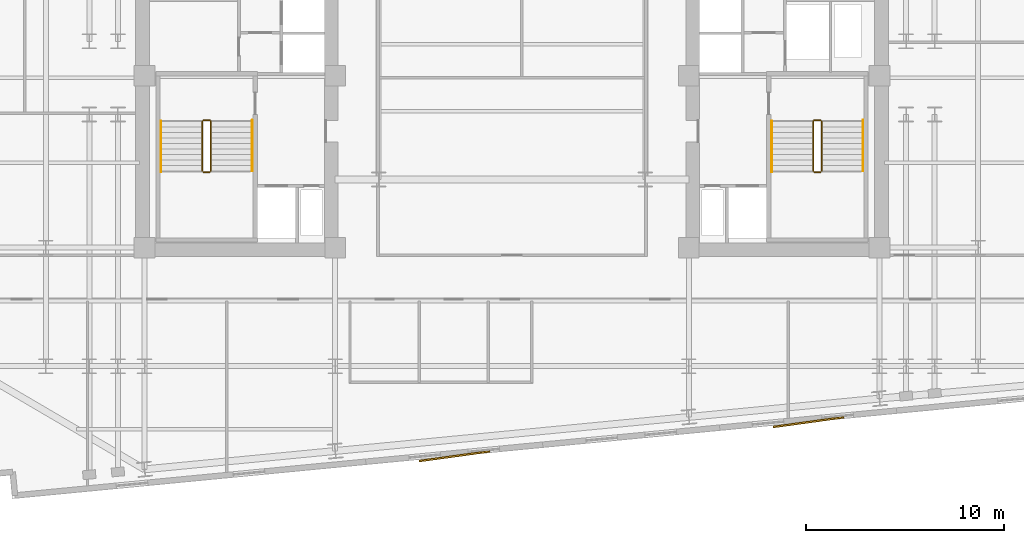
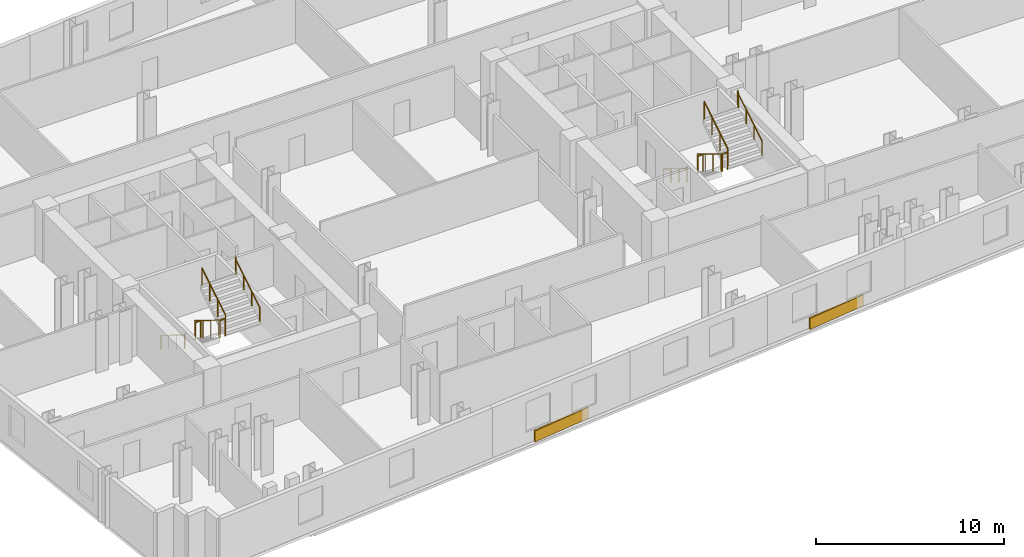
# One storey, part 9 of 10: 12 railings, 2 coverings.
"""IFC4 building model written with IfcOpenShell, lengths in metres."""

from ifc_helpers import new_model, si_unit, direction, frame, origin, origin_2d, place, context, subcontext, project, spatial, rectangle, circle, extrude, material, layer, layer_set, type_object, element, save


model = new_model("IFC4")

# Units and contexts
model_context = context("Model", 3, precision=1e-05, world=origin(), true_north=direction((0.0, 1.0)))
body_context = subcontext(model_context, "Body", "Model", "MODEL_VIEW")
ifc_project = project(units=[si_unit("LENGTHUNIT", "METRE"), si_unit("AREAUNIT", "SQUARE_METRE"), si_unit("VOLUMEUNIT", "CUBIC_METRE"), si_unit("PLANEANGLEUNIT", "RADIAN"), si_unit("MASSUNIT", "GRAM", prefix="KILO")], contexts=[model_context])

# Site, building, storey
site_placement = place(None, origin())
site = spatial("IfcSite", under=ifc_project, at=site_placement, CompositionType="ELEMENT")
building_placement = place(site_placement, origin())
building = spatial("IfcBuilding", under=site, at=building_placement, Name="Velakula Bourse", CompositionType="ELEMENT")
storey_placement = place(building_placement, frame((0.0, 0.0, 98.35009765625)))
storey = spatial("IfcBuildingStorey", under=building, at=storey_placement, Name="L26", CompositionType="ELEMENT", Elevation=98.35009765625)

# Coverings
ifc_material_1 = material(Name="Buff kilned clay facing brick masonry", Category="masonry")
ifc_layer = layer(ifc_material_1, 0.074951171875, Name="Buff kilned clay facing brick masonry", Category="masonry")
ifc_layer_set = layer_set([ifc_layer], Name="Buff kilned clay facing brick masonry")
covering_type = type_object("IfcCoveringType", Name="COV-BRK-SPN-75", PredefinedType="CLADDING", material=ifc_layer_set)
for number, where, z_axis, x_axis, name in (
    (1, (-2.908447265625, -19.154052734375, 0.0), (0.0, 0.0, 1.0), (0.990629029058, 0.136580111242, 0.0), "L26 Folded Brick Facade Cladding Panel S-B2"),
    (2, (15.0087890625, -17.428955078125, 0.0), (0.0, 0.0, 1.0), (0.990629029058, 0.136580111242, 0.0), "L26 Folded Brick Facade Cladding Panel S-B4"),
):
    element("IfcCovering", number, at=place(storey_placement, frame(where, z_axis=z_axis, x_axis=x_axis)), inside=storey, type_object=covering_type, Name=name, PredefinedType="CLADDING", context=body_context, shape_type="SweptSolid", body=[
        extrude(rectangle(XDim=3.60009765625, YDim=0.090087890625, at=origin_2d()), origin(), (0.0, 0.0, 1.0), 0.719970703125),
    ])

# Railings
ifc_material_2 = material(Name="Brushed grade 316 stainless steel", Category="steel")
railing_type_1 = type_object("IfcRailingType", Name="RLG-STAIR-GUARD-1150", PredefinedType="BALUSTRADE", material=ifc_material_2)
railing_1_placement = place(storey_placement, frame((-15.672119140625, -2.199951171875, 0.17236328125)))
element("IfcRailing", 3, at=railing_1_placement, inside=storey, type_object=railing_type_1, Name="L26 ST-W1 stair guard 1", PredefinedType="BALUSTRADE", context=body_context, shape_type="SweptSolid", body=[
    extrude(circle(Radius=0.02490234375, at=origin_2d()), frame((0.0, 0.0, 1.125), z_axis=(0.0, -0.851400495292, 0.524516154772), x_axis=(1.0, 0.0, 0.0)), (0.0, 0.0, 1.0), 2.9599609375),
    extrude(circle(Radius=0.02099609375, at=origin_2d()), origin(), (0.0, 0.0, 1.0), 1.099853515625),
    extrude(circle(Radius=0.02099609375, at=origin_2d()), frame((0.0, -0.840087890625, 0.517578125)), (0.0, 0.0, 1.0), 1.099853515625),
    extrude(circle(Radius=0.02099609375, at=origin_2d()), frame((0.0, -1.679931640625, 1.034912109375)), (0.0, 0.0, 1.0), 1.099853515625),
    extrude(circle(Radius=0.02099609375, at=origin_2d()), frame((0.0, -2.52001953125, 1.552490234375)), (0.0, 0.0, 1.0), 1.099853515625),
])
railing_2_placement = place(storey_placement, frame((-15.6220703125, -4.77001953125, 1.724853515625)))
element("IfcRailing", 4, at=railing_2_placement, inside=storey, type_object=railing_type_1, Name="L26 ST-W1 stair guard 2", PredefinedType="BALUSTRADE", context=body_context, shape_type="SweptSolid", body=[
    extrude(circle(Radius=0.02490234375, at=origin_2d()), frame((0.0, 0.0, 1.125), z_axis=(1.0, 0.0, 0.0), x_axis=(0.0, 1.0, 0.0)), (0.0, 0.0, 1.0), 0.323974609375),
    extrude(circle(Radius=0.02099609375, at=origin_2d()), origin(), (0.0, 0.0, 1.0), 1.099853515625),
    extrude(circle(Radius=0.02099609375, at=origin_2d()), frame((0.323974609375, 0.0, 0.0)), (0.0, 0.0, 1.0), 1.099853515625),
])
railing_3_placement = place(storey_placement, frame((-15.248046875, -4.719970703125, 1.8974609375)))
element("IfcRailing", 5, at=railing_3_placement, inside=storey, type_object=railing_type_1, Name="L26 ST-W1 stair guard 3", PredefinedType="BALUSTRADE", context=body_context, shape_type="SweptSolid", body=[
    extrude(circle(Radius=0.02490234375, at=origin_2d()), frame((0.0, 0.0, 1.125), z_axis=(0.0, 0.851400495292, 0.524516154772), x_axis=(-1.0, 0.0, 0.0)), (0.0, 0.0, 1.0), 2.9599609375),
    extrude(circle(Radius=0.02099609375, at=origin_2d()), origin(), (0.0, 0.0, 1.0), 1.099853515625),
    extrude(circle(Radius=0.02099609375, at=origin_2d()), frame((0.0, 0.840087890625, 0.517578125)), (0.0, 0.0, 1.0), 1.099853515625),
    extrude(circle(Radius=0.02099609375, at=origin_2d()), frame((0.0, 1.679931640625, 1.034912109375)), (0.0, 0.0, 1.0), 1.099853515625),
    extrude(circle(Radius=0.02099609375, at=origin_2d()), frame((0.0, 2.52001953125, 1.552490234375)), (0.0, 0.0, 1.0), 1.099853515625),
])
railing_4_placement = place(storey_placement, frame((-15.6220703125, -2.14990234375, 0.0)))
element("IfcRailing", 6, at=railing_4_placement, inside=storey, type_object=railing_type_1, Name="L26 ST-W1 stair guard 4", PredefinedType="BALUSTRADE", context=body_context, shape_type="SweptSolid", body=[
    extrude(circle(Radius=0.02490234375, at=origin_2d()), frame((0.0, 0.0, 1.125), z_axis=(1.0, 0.0, 0.0), x_axis=(0.0, 1.0, 0.0)), (0.0, 0.0, 1.0), 0.323974609375),
    extrude(circle(Radius=0.02099609375, at=origin_2d()), origin(), (0.0, 0.0, 1.0), 1.099853515625),
    extrude(circle(Radius=0.02099609375, at=origin_2d()), frame((0.323974609375, 0.0, 0.0)), (0.0, 0.0, 1.0), 1.099853515625),
])
railing_5_placement = place(storey_placement, frame((15.248046875, -2.199951171875, 0.17236328125)))
element("IfcRailing", 7, at=railing_5_placement, inside=storey, type_object=railing_type_1, Name="L26 ST-E1 stair guard 1", PredefinedType="BALUSTRADE", context=body_context, shape_type="SweptSolid", body=[
    extrude(circle(Radius=0.02490234375, at=origin_2d()), frame((0.0, 0.0, 1.125), z_axis=(0.0, -0.851400495292, 0.524516154772), x_axis=(1.0, 0.0, 0.0)), (0.0, 0.0, 1.0), 2.9599609375),
    extrude(circle(Radius=0.02099609375, at=origin_2d()), origin(), (0.0, 0.0, 1.0), 1.099853515625),
    extrude(circle(Radius=0.02099609375, at=origin_2d()), frame((0.0, -0.840087890625, 0.517578125)), (0.0, 0.0, 1.0), 1.099853515625),
    extrude(circle(Radius=0.02099609375, at=origin_2d()), frame((0.0, -1.679931640625, 1.034912109375)), (0.0, 0.0, 1.0), 1.099853515625),
    extrude(circle(Radius=0.02099609375, at=origin_2d()), frame((0.0, -2.52001953125, 1.552490234375)), (0.0, 0.0, 1.0), 1.099853515625),
])
railing_6_placement = place(storey_placement, frame((15.298095703125, -4.77001953125, 1.724853515625)))
element("IfcRailing", 8, at=railing_6_placement, inside=storey, type_object=railing_type_1, Name="L26 ST-E1 stair guard 2", PredefinedType="BALUSTRADE", context=body_context, shape_type="SweptSolid", body=[
    extrude(circle(Radius=0.02490234375, at=origin_2d()), frame((0.0, 0.0, 1.125), z_axis=(1.0, 0.0, 0.0), x_axis=(0.0, 1.0, 0.0)), (0.0, 0.0, 1.0), 0.323974609375),
    extrude(circle(Radius=0.02099609375, at=origin_2d()), origin(), (0.0, 0.0, 1.0), 1.099853515625),
    extrude(circle(Radius=0.02099609375, at=origin_2d()), frame((0.323974609375, 0.0, 0.0)), (0.0, 0.0, 1.0), 1.099853515625),
])
railing_7_placement = place(storey_placement, frame((15.672119140625, -4.719970703125, 1.8974609375)))
element("IfcRailing", 9, at=railing_7_placement, inside=storey, type_object=railing_type_1, Name="L26 ST-E1 stair guard 3", PredefinedType="BALUSTRADE", context=body_context, shape_type="SweptSolid", body=[
    extrude(circle(Radius=0.02490234375, at=origin_2d()), frame((0.0, 0.0, 1.125), z_axis=(0.0, 0.851400495292, 0.524516154772), x_axis=(-1.0, 0.0, 0.0)), (0.0, 0.0, 1.0), 2.9599609375),
    extrude(circle(Radius=0.02099609375, at=origin_2d()), origin(), (0.0, 0.0, 1.0), 1.099853515625),
    extrude(circle(Radius=0.02099609375, at=origin_2d()), frame((0.0, 0.840087890625, 0.517578125)), (0.0, 0.0, 1.0), 1.099853515625),
    extrude(circle(Radius=0.02099609375, at=origin_2d()), frame((0.0, 1.679931640625, 1.034912109375)), (0.0, 0.0, 1.0), 1.099853515625),
    extrude(circle(Radius=0.02099609375, at=origin_2d()), frame((0.0, 2.52001953125, 1.552490234375)), (0.0, 0.0, 1.0), 1.099853515625),
])
railing_8_placement = place(storey_placement, frame((15.298095703125, -2.14990234375, 0.0)))
element("IfcRailing", 10, at=railing_8_placement, inside=storey, type_object=railing_type_1, Name="L26 ST-E1 stair guard 4", PredefinedType="BALUSTRADE", context=body_context, shape_type="SweptSolid", body=[
    extrude(circle(Radius=0.02490234375, at=origin_2d()), frame((0.0, 0.0, 1.125), z_axis=(1.0, 0.0, 0.0), x_axis=(0.0, 1.0, 0.0)), (0.0, 0.0, 1.0), 0.323974609375),
    extrude(circle(Radius=0.02099609375, at=origin_2d()), origin(), (0.0, 0.0, 1.0), 1.099853515625),
    extrude(circle(Radius=0.02099609375, at=origin_2d()), frame((0.323974609375, 0.0, 0.0)), (0.0, 0.0, 1.0), 1.099853515625),
])
railing_type_2 = type_object("IfcRailingType", Name="RLG-STAIR-HAND-920", PredefinedType="HANDRAIL", material=ifc_material_2)
railing_9_placement = place(storey_placement, frame((-17.77001953125, -2.199951171875, 0.17236328125)))
element("IfcRailing", 11, at=railing_9_placement, inside=storey, type_object=railing_type_2, Name="L26 ST-W1 stair handrail 1", PredefinedType="HANDRAIL", context=body_context, shape_type="SweptSolid", body=[
    extrude(circle(Radius=0.02099609375, at=origin_2d()), frame((0.0, 0.0, 0.89892578125), z_axis=(0.0, -0.851400495292, 0.524516154772), x_axis=(1.0, 0.0, 0.0)), (0.0, 0.0, 1.0), 2.9599609375),
    extrude(circle(Radius=0.02099609375, at=origin_2d()), frame((0.0, -2.52001953125, 2.451416015625), z_axis=(0.0, -0.22596628056, 0.974135124123), x_axis=(1.0, 0.0, 0.0)), (0.0, 0.0, 1.0), 0.17724609375),
    extrude(circle(Radius=0.02099609375, at=origin_2d()), frame((0.0, -2.56005859375, 2.6240234375), z_axis=(0.0, -1.0, 0.0), x_axis=(1.0, 0.0, 0.0)), (0.0, 0.0, 1.0), 0.0048828125),
    extrude(circle(Radius=0.02099609375, at=origin_2d()), origin(), (0.0, 0.0, 1.0), 0.8779296875),
    extrude(circle(Radius=0.02099609375, at=origin_2d()), frame((0.0, -0.840087890625, 0.517578125)), (0.0, 0.0, 1.0), 0.8779296875),
    extrude(circle(Radius=0.02099609375, at=origin_2d()), frame((0.0, -1.679931640625, 1.034912109375)), (0.0, 0.0, 1.0), 0.8779296875),
    extrude(circle(Radius=0.02099609375, at=origin_2d()), frame((0.0, -2.52001953125, 1.552490234375)), (0.0, 0.0, 1.0), 0.8779296875),
    extrude(circle(Radius=0.02099609375, at=origin_2d()), frame((0.0, -2.56005859375, 1.72509765625)), (0.0, 0.0, 1.0), 0.8779296875),
    extrude(circle(Radius=0.02099609375, at=origin_2d()), frame((0.0, -2.56494140625, 1.72509765625)), (0.0, 0.0, 1.0), 0.8779296875),
])
railing_10_placement = place(storey_placement, frame((-13.14990234375, -4.719970703125, 1.8974609375)))
element("IfcRailing", 12, at=railing_10_placement, inside=storey, type_object=railing_type_2, Name="L26 ST-W1 stair handrail 2", PredefinedType="HANDRAIL", context=body_context, shape_type="SweptSolid", body=[
    extrude(circle(Radius=0.02099609375, at=origin_2d()), frame((0.0, 0.0, 0.89892578125), z_axis=(0.0, 0.851400495292, 0.524516154772), x_axis=(-1.0, 0.0, 0.0)), (0.0, 0.0, 1.0), 2.9599609375),
    extrude(circle(Radius=0.02099609375, at=origin_2d()), frame((0.0, 2.52001953125, 2.451416015625), z_axis=(0.0, 0.226269970362, 0.974064628509), x_axis=(-1.0, 0.0, 0.0)), (0.0, 0.0, 1.0), 0.177001953125),
    extrude(circle(Radius=0.02099609375, at=origin_2d()), frame((0.0, 2.56005859375, 2.623779296875), z_axis=(0.0, 1.0, 0.0), x_axis=(-1.0, 0.0, 0.0)), (0.0, 0.0, 1.0), 0.0048828125),
    extrude(circle(Radius=0.02099609375, at=origin_2d()), origin(), (0.0, 0.0, 1.0), 0.8779296875),
    extrude(circle(Radius=0.02099609375, at=origin_2d()), frame((0.0, 0.840087890625, 0.517578125)), (0.0, 0.0, 1.0), 0.8779296875),
    extrude(circle(Radius=0.02099609375, at=origin_2d()), frame((0.0, 1.679931640625, 1.034912109375)), (0.0, 0.0, 1.0), 0.8779296875),
    extrude(circle(Radius=0.02099609375, at=origin_2d()), frame((0.0, 2.52001953125, 1.552490234375)), (0.0, 0.0, 1.0), 0.8779296875),
    extrude(circle(Radius=0.02099609375, at=origin_2d()), frame((0.0, 2.56005859375, 1.724853515625)), (0.0, 0.0, 1.0), 0.8779296875),
    extrude(circle(Radius=0.02099609375, at=origin_2d()), frame((0.0, 2.56494140625, 1.724853515625)), (0.0, 0.0, 1.0), 0.8779296875),
])
railing_11_placement = place(storey_placement, frame((13.14990234375, -2.199951171875, 0.17236328125)))
element("IfcRailing", 13, at=railing_11_placement, inside=storey, type_object=railing_type_2, Name="L26 ST-E1 stair handrail 1", PredefinedType="HANDRAIL", context=body_context, shape_type="SweptSolid", body=[
    extrude(circle(Radius=0.02099609375, at=origin_2d()), frame((0.0, 0.0, 0.89892578125), z_axis=(0.0, -0.851400495292, 0.524516154772), x_axis=(1.0, 0.0, 0.0)), (0.0, 0.0, 1.0), 2.9599609375),
    extrude(circle(Radius=0.02099609375, at=origin_2d()), frame((0.0, -2.52001953125, 2.451416015625), z_axis=(0.0, -0.22596628056, 0.974135124123), x_axis=(1.0, 0.0, 0.0)), (0.0, 0.0, 1.0), 0.17724609375),
    extrude(circle(Radius=0.02099609375, at=origin_2d()), frame((0.0, -2.56005859375, 2.6240234375), z_axis=(0.0, -1.0, 0.0), x_axis=(1.0, 0.0, 0.0)), (0.0, 0.0, 1.0), 0.0048828125),
    extrude(circle(Radius=0.02099609375, at=origin_2d()), origin(), (0.0, 0.0, 1.0), 0.8779296875),
    extrude(circle(Radius=0.02099609375, at=origin_2d()), frame((0.0, -0.840087890625, 0.517578125)), (0.0, 0.0, 1.0), 0.8779296875),
    extrude(circle(Radius=0.02099609375, at=origin_2d()), frame((0.0, -1.679931640625, 1.034912109375)), (0.0, 0.0, 1.0), 0.8779296875),
    extrude(circle(Radius=0.02099609375, at=origin_2d()), frame((0.0, -2.52001953125, 1.552490234375)), (0.0, 0.0, 1.0), 0.8779296875),
    extrude(circle(Radius=0.02099609375, at=origin_2d()), frame((0.0, -2.56005859375, 1.72509765625)), (0.0, 0.0, 1.0), 0.8779296875),
    extrude(circle(Radius=0.02099609375, at=origin_2d()), frame((0.0, -2.56494140625, 1.72509765625)), (0.0, 0.0, 1.0), 0.8779296875),
])
railing_12_placement = place(storey_placement, frame((17.77001953125, -4.719970703125, 1.8974609375)))
element("IfcRailing", 14, at=railing_12_placement, inside=storey, type_object=railing_type_2, Name="L26 ST-E1 stair handrail 2", PredefinedType="HANDRAIL", context=body_context, shape_type="SweptSolid", body=[
    extrude(circle(Radius=0.02099609375, at=origin_2d()), frame((0.0, 0.0, 0.89892578125), z_axis=(0.0, 0.851400495292, 0.524516154772), x_axis=(-1.0, 0.0, 0.0)), (0.0, 0.0, 1.0), 2.9599609375),
    extrude(circle(Radius=0.02099609375, at=origin_2d()), frame((0.0, 2.52001953125, 2.451416015625), z_axis=(0.0, 0.226269970362, 0.974064628509), x_axis=(-1.0, 0.0, 0.0)), (0.0, 0.0, 1.0), 0.177001953125),
    extrude(circle(Radius=0.02099609375, at=origin_2d()), frame((0.0, 2.56005859375, 2.623779296875), z_axis=(0.0, 1.0, 0.0), x_axis=(-1.0, 0.0, 0.0)), (0.0, 0.0, 1.0), 0.0048828125),
    extrude(circle(Radius=0.02099609375, at=origin_2d()), origin(), (0.0, 0.0, 1.0), 0.8779296875),
    extrude(circle(Radius=0.02099609375, at=origin_2d()), frame((0.0, 0.840087890625, 0.517578125)), (0.0, 0.0, 1.0), 0.8779296875),
    extrude(circle(Radius=0.02099609375, at=origin_2d()), frame((0.0, 1.679931640625, 1.034912109375)), (0.0, 0.0, 1.0), 0.8779296875),
    extrude(circle(Radius=0.02099609375, at=origin_2d()), frame((0.0, 2.52001953125, 1.552490234375)), (0.0, 0.0, 1.0), 0.8779296875),
    extrude(circle(Radius=0.02099609375, at=origin_2d()), frame((0.0, 2.56005859375, 1.724853515625)), (0.0, 0.0, 1.0), 0.8779296875),
    extrude(circle(Radius=0.02099609375, at=origin_2d()), frame((0.0, 2.56494140625, 1.724853515625)), (0.0, 0.0, 1.0), 0.8779296875),
])

save(model, "model.ifc")
